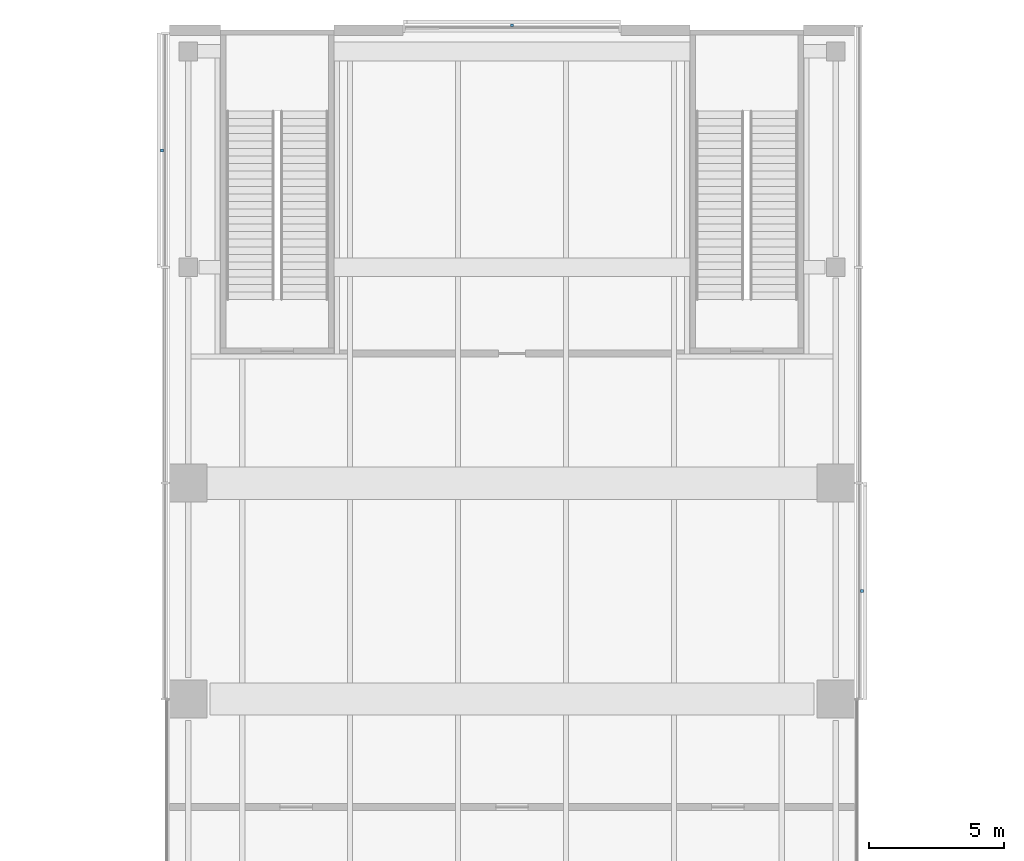
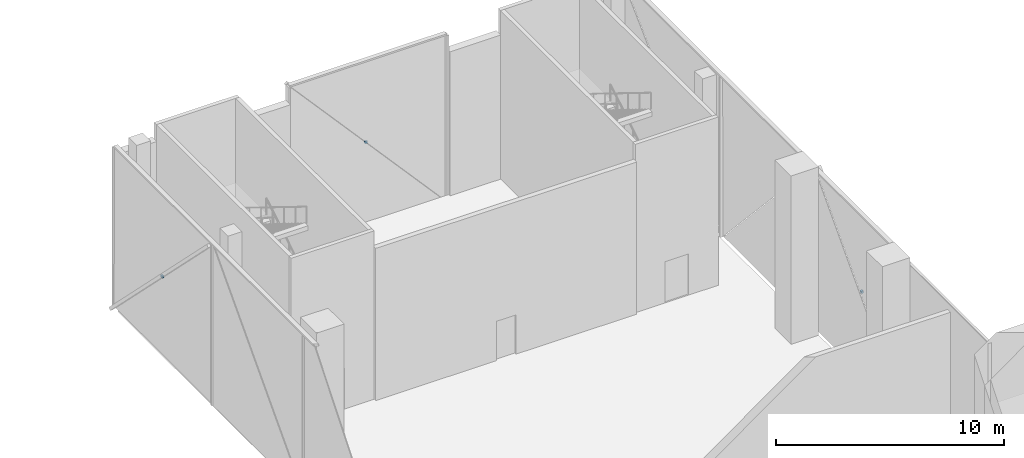
# One storey, part 24 of 26: 3 discrete accessories.
"""IFC4 building model written with IfcOpenShell, lengths in metres."""

from ifc_helpers import new_model, si_unit, direction, frame, origin, origin_2d, place, context, subcontext, project, spatial, rectangle, extrude, material, type_object, element, save


model = new_model("IFC4")

# Units and contexts
model_context = context("Model", 3, precision=1e-05, world=origin(), true_north=direction((0.0, 1.0)))
body_context = subcontext(model_context, "Body", "Model", "MODEL_VIEW")
ifc_project = project(units=[si_unit("LENGTHUNIT", "METRE"), si_unit("AREAUNIT", "SQUARE_METRE"), si_unit("VOLUMEUNIT", "CUBIC_METRE"), si_unit("PLANEANGLEUNIT", "RADIAN"), si_unit("MASSUNIT", "GRAM", prefix="KILO")], contexts=[model_context])

# Site, building, storey
site_placement = place(None, origin())
site = spatial("IfcSite", under=ifc_project, at=site_placement, CompositionType="ELEMENT")
building_placement = place(site_placement, origin())
building = spatial("IfcBuilding", under=site, at=building_placement, Name="Crosswind Convention Tower", CompositionType="ELEMENT")
storey_placement = place(building_placement, frame((0.0, 0.0, 25.0)))
storey = spatial("IfcBuildingStorey", under=building, at=storey_placement, Name="L03", CompositionType="ELEMENT", Elevation=25.0)

# Discrete accessories
ifc_material = material(Name="Stainless steel", Category="steel")
discrete_accessory_type = type_object("IfcDiscreteAccessoryType", Name="BAGUETTE BRACKET BK1", PredefinedType="BRACKET", material=ifc_material)
for number, where, z_axis, x_axis, name in (
    (1, (137.97412109375, 124.0, 4.177490234375), (0.0, 0.0, 1.0), (0.0, 1.0, 0.0), "BK1 baguette bracket"),
    (2, (125.0, 144.97412109375, 4.0), (0.0, 0.0, 1.0), (-1.0, 0.0, 0.0), "BK1 baguette bracket"),
    (3, (112.02587890625, 140.330078125, 4.177490234375), (0.0, 0.0, 1.0), (0.0, -1.0, 0.0), "BK1 baguette bracket"),
):
    element("IfcDiscreteAccessory", number, at=place(storey_placement, frame(where, z_axis=z_axis, x_axis=x_axis)), inside=storey, type_object=discrete_accessory_type, Name=name, PredefinedType="BRACKET", context=body_context, shape_type="SweptSolid", body=[
        extrude(rectangle(XDim=0.1201171875, YDim=0.10009765625, at=origin_2d()), origin(), (0.0, 0.0, 1.0), 0.1201171875),
    ])

save(model, "model.ifc")
